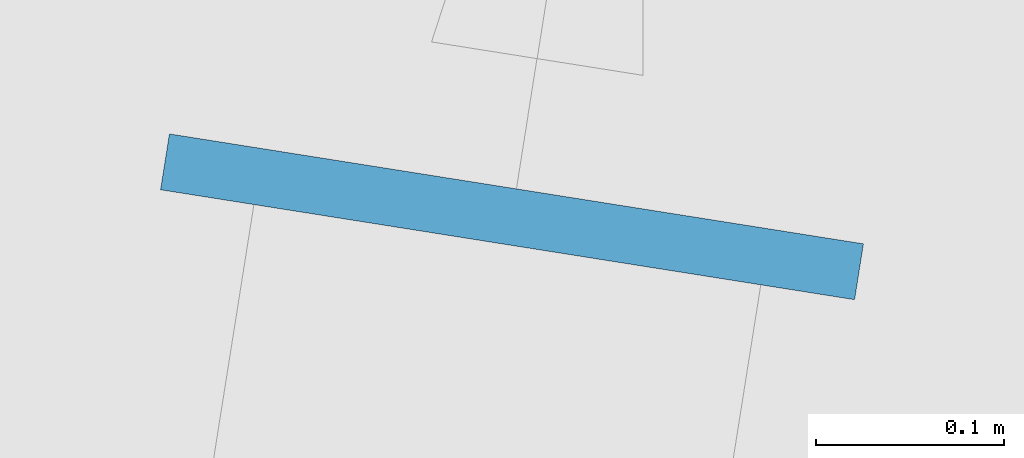
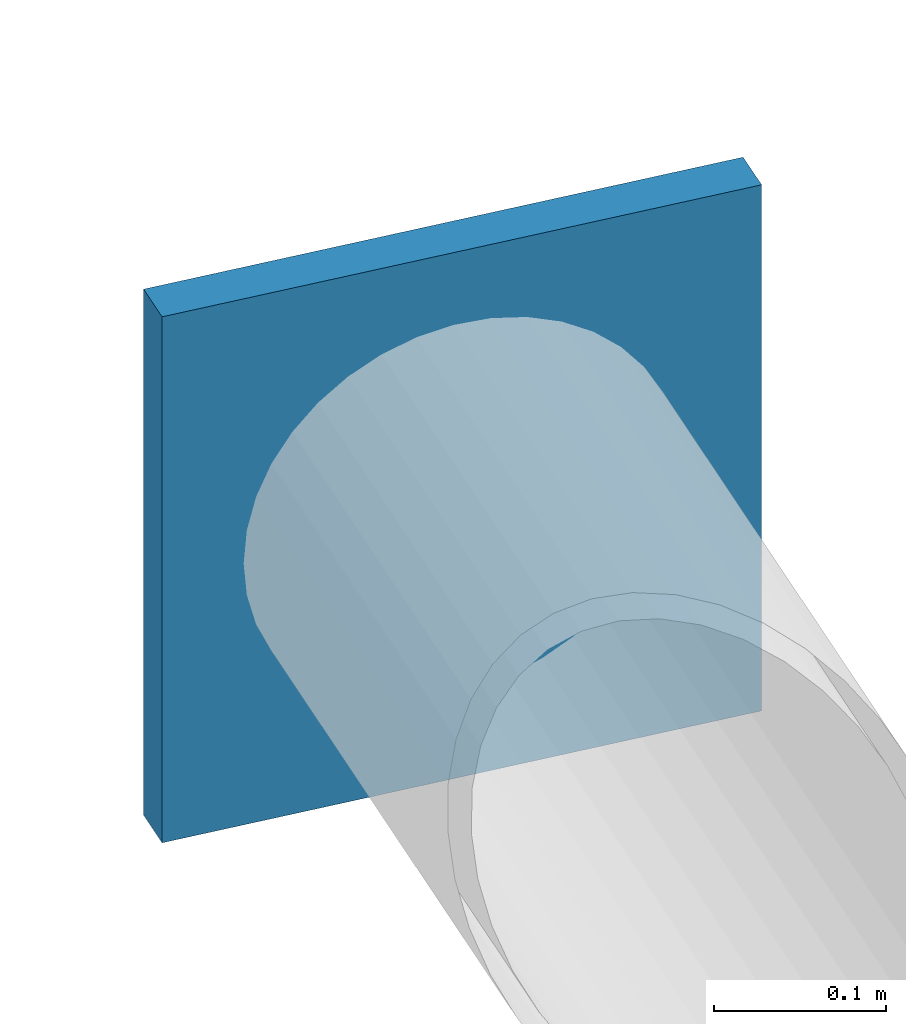
# One storey, part 17 of 23: 1 discrete accessory.
"""IFC4 building model written with IfcOpenShell, lengths in metres."""

from ifc_helpers import new_model, si_unit, direction, frame, origin, origin_2d, place, context, subcontext, project, spatial, rectangle, extrude, material, element, save


model = new_model("IFC4")

# Units and contexts
model_context = context("Model", 3, precision=1e-05, world=origin(), true_north=direction((0.0, 1.0)))
body_context = subcontext(model_context, "Body", "Model", "MODEL_VIEW")
ifc_project = project(units=[si_unit("LENGTHUNIT", "METRE"), si_unit("AREAUNIT", "SQUARE_METRE"), si_unit("VOLUMEUNIT", "CUBIC_METRE"), si_unit("PLANEANGLEUNIT", "RADIAN"), si_unit("MASSUNIT", "GRAM", prefix="KILO")], contexts=[model_context])

# Site, building, storey
site_placement = place(None, origin())
site = spatial("IfcSite", under=ifc_project, at=site_placement, CompositionType="ELEMENT")
building_placement = place(site_placement, origin())
building = spatial("IfcBuilding", under=site, at=building_placement, Name="Entoto Ring Tower", CompositionType="ELEMENT")
storey_placement = place(building_placement, frame((0.0, 0.0, 392.0)))
storey = spatial("IfcBuildingStorey", under=building, at=storey_placement, Name="L91", CompositionType="ELEMENT", Elevation=392.0)

# Discrete accessory
ifc_material = material(Name="Steel S355", Category="steel")
discrete_accessory_placement = place(storey_placement, frame((95.10205078125, 112.21337890625, 9.52685546875), z_axis=(0.0, 0.0, 1.0), x_axis=(0.15643446504, 0.987688340595, 0.0)))
element("IfcDiscreteAccessory", 1, at=discrete_accessory_placement, inside=storey, material=ifc_material, Name="Node strut end plate DS2 ring 29 04", PredefinedType="BRACKET", context=body_context, shape_type="SweptSolid", body=[
    extrude(rectangle(XDim=0.030029296875, YDim=0.373046875, at=origin_2d()), origin(), (0.0, 0.0, 1.0), 0.373046875),
])

save(model, "model.ifc")
